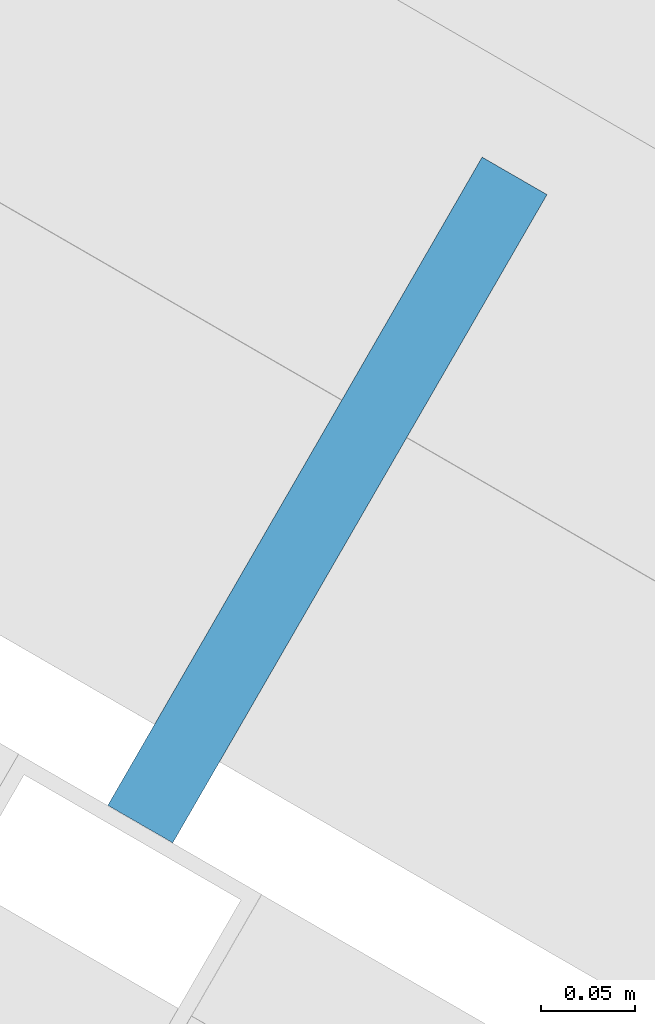
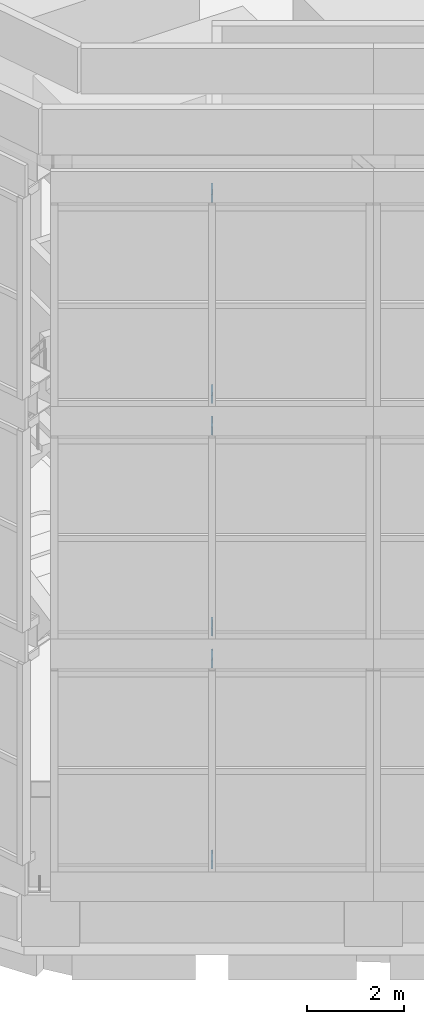
# One storey, part 27 of 46: 6 discrete accessories.
"""IFC4 building model written with IfcOpenShell, lengths in metres."""

from ifc_helpers import new_model, si_unit, direction, frame, origin, origin_2d, place, context, subcontext, project, spatial, rectangle, extrude, material, type_object, element, save


model = new_model("IFC4")

# Units and contexts
model_context = context("Model", 3, precision=1e-05, world=origin(), true_north=direction((0.0, 1.0)))
body_context = subcontext(model_context, "Body", "Model", "MODEL_VIEW")
ifc_project = project(units=[si_unit("LENGTHUNIT", "METRE"), si_unit("AREAUNIT", "SQUARE_METRE"), si_unit("VOLUMEUNIT", "CUBIC_METRE"), si_unit("PLANEANGLEUNIT", "RADIAN"), si_unit("MASSUNIT", "GRAM", prefix="KILO")], contexts=[model_context])

# Site, building, storey
site_placement = place(None, origin())
site = spatial("IfcSite", under=ifc_project, at=site_placement, CompositionType="ELEMENT")
building_placement = place(site_placement, origin())
building = spatial("IfcBuilding", under=site, at=building_placement, Name="Vanh Sen Convention Tower", CompositionType="ELEMENT")
storey_placement = place(building_placement, frame((0.0, 0.0, 305.0)))
storey = spatial("IfcBuildingStorey", under=building, at=storey_placement, Name="Roof level", CompositionType="ELEMENT", Elevation=305.0)

# Discrete accessories
ifc_material = material(Name="Steel S355", Category="steel")
discrete_accessory_type = type_object("IfcDiscreteAccessoryType", Name="Crown screen bracket 40 x 200", PredefinedType="BRACKET", material=ifc_material)
for number, where, z_axis, x_axis, name in (
    (1, (-13.275390625, -14.5634765625, 2.044921875), (0.0, 0.0, 1.0), (-0.500004534492, -0.866022785779, 0.0), "Crown screen bracket 13-1-2"),
    (2, (-13.275390625, -14.5634765625, 7.11328125), (0.0, 0.0, 1.0), (-0.500004534492, -0.866022785779, 0.0), "Crown screen bracket 13-1-5"),
    (3, (-13.275390625, -14.5634765625, 7.9130859375), (0.0, 0.0, 1.0), (-0.500004534492, -0.866022785779, 0.0), "Crown screen bracket 13-2-2"),
    (4, (-13.275390625, -14.5634765625, 12.98193359375), (0.0, 0.0, 1.0), (-0.500004534492, -0.866022785779, 0.0), "Crown screen bracket 13-2-5"),
    (5, (-13.275390625, -14.5634765625, 13.78173828125), (0.0, 0.0, 1.0), (-0.500004534492, -0.866022785779, 0.0), "Crown screen bracket 13-3-2"),
    (6, (-13.275390625, -14.5634765625, 18.85009765625), (0.0, 0.0, 1.0), (-0.500004534492, -0.866022785779, 0.0), "Crown screen bracket 13-3-5"),
):
    element("IfcDiscreteAccessory", number, at=place(storey_placement, frame(where, z_axis=z_axis, x_axis=x_axis)), inside=storey, type_object=discrete_accessory_type, Name=name, PredefinedType="BRACKET", context=body_context, shape_type="SweptSolid", body=[
        extrude(rectangle(XDim=0.39990234375, YDim=0.0400390625, at=origin_2d()), origin(), (0.0, 0.0, 1.0), 0.199951171875),
    ])

save(model, "model.ifc")
